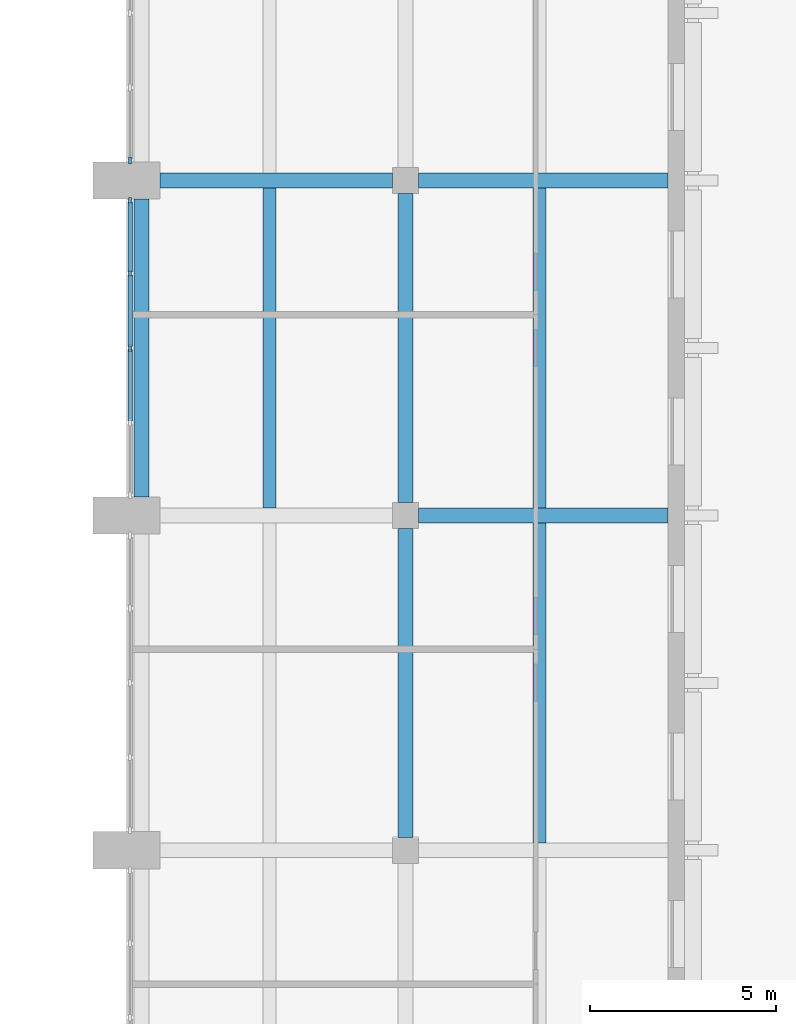
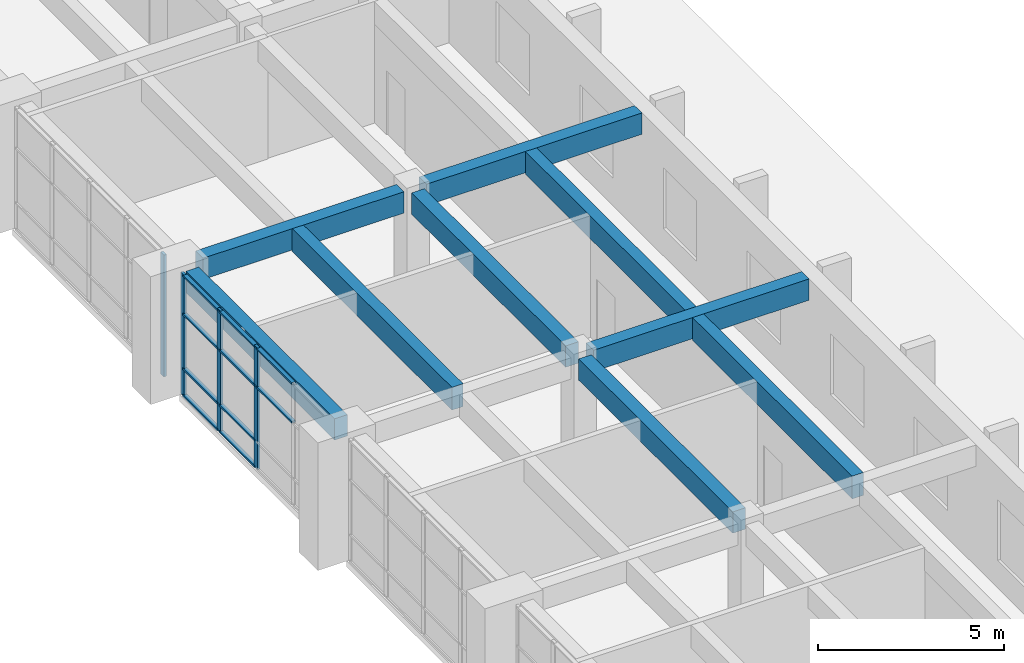
# One storey, part 10 of 45: 14 members, 9 beams, 2 elements without a shape of their own.
"""IFC4 building model written with IfcOpenShell, lengths in metres."""

from ifc_helpers import new_model, si_unit, direction, frame, origin, origin_2d, place, context, subcontext, project, spatial, rectangle, extrude, material, material_profile, profile_set, type_object, element, aggregate, save


model = new_model("IFC4")

# Units and contexts
model_context = context("Model", 3, precision=1e-05, world=origin(), true_north=direction((0.0, 1.0)))
body_context = subcontext(model_context, "Body", "Model", "MODEL_VIEW")
ifc_project = project(units=[si_unit("LENGTHUNIT", "METRE"), si_unit("AREAUNIT", "SQUARE_METRE"), si_unit("VOLUMEUNIT", "CUBIC_METRE"), si_unit("PLANEANGLEUNIT", "RADIAN"), si_unit("MASSUNIT", "GRAM", prefix="KILO")], contexts=[model_context])

# Site, building, storey
site_placement = place(None, origin())
site = spatial("IfcSite", under=ifc_project, at=site_placement, CompositionType="ELEMENT")
building_placement = place(site_placement, origin())
building = spatial("IfcBuilding", under=site, at=building_placement, Name="Elmora Arch Market Hall", CompositionType="ELEMENT")
storey_placement = place(building_placement, frame((0.0, 0.0, 6.0)))
storey = spatial("IfcBuildingStorey", under=building, at=storey_placement, Name="L01", CompositionType="ELEMENT", Elevation=6.0)

# Curtain wall, members
ifc_material_1 = material(Name="Aluminium", Category="aluminium")
curtain_wall_type = type_object("IfcCurtainWallType", Name="Hall front curtain wall", PredefinedType="NOTDEFINED", material=ifc_material_1)
curtain_wall_1_placement = place(storey_placement, origin())
curtain_wall_1 = element("IfcCurtainWall", 1, at=curtain_wall_1_placement, inside=storey, type_object=curtain_wall_type, Name="Wing front E L01 6", PredefinedType="NOTDEFINED")
ifc_material_2 = material(Name="Aluminium", Category="aluminium")
ifc_material_profile_1 = material_profile(ifc_material_2, rectangle(XDim=0.080078125, YDim=0.179931640625, at=origin_2d()), Name="AL 80x180")
ifc_profile_set_1 = profile_set([ifc_material_profile_1], Name="Aluminium")
member_type_1 = type_object("IfcMemberType", Name="Mullion 80x180", PredefinedType="MULLION", material=ifc_profile_set_1)
member_1_placement = place(storey_placement, frame((43.10009765625, 76.5, 0.0), z_axis=(0.0, 0.0, 1.0), x_axis=(-1.0, 0.0, 0.0)))
member_1 = element("IfcMember", 2, at=member_1_placement, type_object=member_type_1, Name="CW2 mullion 3", PredefinedType="MULLION", context=body_context, shape_type="SweptSolid", body=[
    extrude(rectangle(XDim=0.080078125, YDim=0.179931640625, at=origin_2d()), origin(), (0.0, 0.0, 1.0), 4.0),
])
member_2_placement = place(storey_placement, frame((43.10009765625, 78.5, 0.0), z_axis=(0.0, 0.0, 1.0), x_axis=(-1.0, 0.0, 0.0)))
member_2 = element("IfcMember", 3, at=member_2_placement, type_object=member_type_1, Name="CW2 mullion 4", PredefinedType="MULLION", context=body_context, shape_type="SweptSolid", body=[
    extrude(rectangle(XDim=0.080078125, YDim=0.179931640625, at=origin_2d()), origin(), (0.0, 0.0, 1.0), 4.0),
])
member_3_placement = place(storey_placement, frame((43.10009765625, 80.4599609375, 0.0), z_axis=(0.0, 0.0, 1.0), x_axis=(-1.0, 0.0, 0.0)))
member_3 = element("IfcMember", 4, at=member_3_placement, type_object=member_type_1, Name="CW2 mullion 5", PredefinedType="MULLION", context=body_context, shape_type="SweptSolid", body=[
    extrude(rectangle(XDim=0.080078125, YDim=0.179931640625, at=origin_2d()), origin(), (0.0, 0.0, 1.0), 4.0),
])

# Curtain wall, member
curtain_wall_2_placement = place(storey_placement, origin())
curtain_wall_2 = element("IfcCurtainWall", 5, at=curtain_wall_2_placement, inside=storey, type_object=curtain_wall_type, Name="Wing front E L01 7", PredefinedType="NOTDEFINED")
member_4_placement = place(storey_placement, frame((43.10009765625, 81.5400390625, 0.0), z_axis=(0.0, 0.0, 1.0), x_axis=(-1.0, 0.0, 0.0)))
member_4 = element("IfcMember", 6, at=member_4_placement, type_object=member_type_1, Name="CW2 mullion 1", PredefinedType="MULLION", context=body_context, shape_type="SweptSolid", body=[
    extrude(rectangle(XDim=0.080078125, YDim=0.179931640625, at=origin_2d()), origin(), (0.0, 0.0, 1.0), 4.0),
])
aggregate(curtain_wall_2, [member_4])

# Member
ifc_material_3 = material(Name="Aluminium", Category="aluminium")
ifc_material_profile_2 = material_profile(ifc_material_3, rectangle(XDim=0.1201171875, YDim=0.06005859375, at=origin_2d()), Name="AL 120x60")
ifc_profile_set_2 = profile_set([ifc_material_profile_2], Name="Aluminium")
member_type_2 = type_object("IfcMemberType", Name="Transom 120x60", PredefinedType="USERDEFINED", material=ifc_profile_set_2)
member_5_placement = place(storey_placement, frame((43.10009765625, 74.5400390625, 2.699951171875), z_axis=(0.0, 1.0, 0.0), x_axis=(-1.0, 0.0, 0.0)))
member_5 = element("IfcMember", 7, at=member_5_placement, type_object=member_type_2, Name="CW2 transom 2.3", ObjectType="TRANSOM", PredefinedType="USERDEFINED", context=body_context, shape_type="SweptSolid", body=[
    extrude(rectangle(XDim=0.1201171875, YDim=0.06005859375, at=origin_2d()), origin(), (0.0, 0.0, 1.0), 1.919921875),
])

member_6_placement = place(storey_placement, frame((43.10009765625, 74.5400390625, 3.969970703125), z_axis=(0.0, 1.0, 0.0), x_axis=(-1.0, 0.0, 0.0)))
member_6 = element("IfcMember", 8, at=member_6_placement, type_object=member_type_2, Name="CW2 transom 2.4", ObjectType="TRANSOM", PredefinedType="USERDEFINED", context=body_context, shape_type="SweptSolid", body=[
    extrude(rectangle(XDim=0.1201171875, YDim=0.06005859375, at=origin_2d()), origin(), (0.0, 0.0, 1.0), 1.919921875),
])

member_7_placement = place(storey_placement, frame((43.10009765625, 76.5400390625, 0.030029296875), z_axis=(0.0, 1.0, 0.0), x_axis=(-1.0, 0.0, 0.0)))
member_7 = element("IfcMember", 9, at=member_7_placement, type_object=member_type_2, Name="CW2 transom 3.1", ObjectType="TRANSOM", PredefinedType="USERDEFINED", context=body_context, shape_type="SweptSolid", body=[
    extrude(rectangle(XDim=0.1201171875, YDim=0.06005859375, at=origin_2d()), origin(), (0.0, 0.0, 1.0), 1.919921875),
])

member_8_placement = place(storey_placement, frame((43.10009765625, 76.5400390625, 0.89990234375), z_axis=(0.0, 1.0, 0.0), x_axis=(-1.0, 0.0, 0.0)))
member_8 = element("IfcMember", 10, at=member_8_placement, type_object=member_type_2, Name="CW2 transom 3.2", ObjectType="TRANSOM", PredefinedType="USERDEFINED", context=body_context, shape_type="SweptSolid", body=[
    extrude(rectangle(XDim=0.1201171875, YDim=0.06005859375, at=origin_2d()), origin(), (0.0, 0.0, 1.0), 1.919921875),
])

member_9_placement = place(storey_placement, frame((43.10009765625, 76.5400390625, 2.699951171875), z_axis=(0.0, 1.0, 0.0), x_axis=(-1.0, 0.0, 0.0)))
member_9 = element("IfcMember", 11, at=member_9_placement, type_object=member_type_2, Name="CW2 transom 3.3", ObjectType="TRANSOM", PredefinedType="USERDEFINED", context=body_context, shape_type="SweptSolid", body=[
    extrude(rectangle(XDim=0.1201171875, YDim=0.06005859375, at=origin_2d()), origin(), (0.0, 0.0, 1.0), 1.919921875),
])

member_10_placement = place(storey_placement, frame((43.10009765625, 76.5400390625, 3.969970703125), z_axis=(0.0, 1.0, 0.0), x_axis=(-1.0, 0.0, 0.0)))
member_10 = element("IfcMember", 12, at=member_10_placement, type_object=member_type_2, Name="CW2 transom 3.4", ObjectType="TRANSOM", PredefinedType="USERDEFINED", context=body_context, shape_type="SweptSolid", body=[
    extrude(rectangle(XDim=0.1201171875, YDim=0.06005859375, at=origin_2d()), origin(), (0.0, 0.0, 1.0), 1.919921875),
])

member_11_placement = place(storey_placement, frame((43.10009765625, 78.5400390625, 0.030029296875), z_axis=(0.0, 1.0, 0.0), x_axis=(-1.0, 0.0, 0.0)))
member_11 = element("IfcMember", 13, at=member_11_placement, type_object=member_type_2, Name="CW2 transom 4.1", ObjectType="TRANSOM", PredefinedType="USERDEFINED", context=body_context, shape_type="SweptSolid", body=[
    extrude(rectangle(XDim=0.1201171875, YDim=0.06005859375, at=origin_2d()), origin(), (0.0, 0.0, 1.0), 1.8798828125),
])

member_12_placement = place(storey_placement, frame((43.10009765625, 78.5400390625, 0.89990234375), z_axis=(0.0, 1.0, 0.0), x_axis=(-1.0, 0.0, 0.0)))
member_12 = element("IfcMember", 14, at=member_12_placement, type_object=member_type_2, Name="CW2 transom 4.2", ObjectType="TRANSOM", PredefinedType="USERDEFINED", context=body_context, shape_type="SweptSolid", body=[
    extrude(rectangle(XDim=0.1201171875, YDim=0.06005859375, at=origin_2d()), origin(), (0.0, 0.0, 1.0), 1.8798828125),
])

member_13_placement = place(storey_placement, frame((43.10009765625, 78.5400390625, 2.699951171875), z_axis=(0.0, 1.0, 0.0), x_axis=(-1.0, 0.0, 0.0)))
member_13 = element("IfcMember", 15, at=member_13_placement, type_object=member_type_2, Name="CW2 transom 4.3", ObjectType="TRANSOM", PredefinedType="USERDEFINED", context=body_context, shape_type="SweptSolid", body=[
    extrude(rectangle(XDim=0.1201171875, YDim=0.06005859375, at=origin_2d()), origin(), (0.0, 0.0, 1.0), 1.8798828125),
])

member_14_placement = place(storey_placement, frame((43.10009765625, 78.5400390625, 3.969970703125), z_axis=(0.0, 1.0, 0.0), x_axis=(-1.0, 0.0, 0.0)))
member_14 = element("IfcMember", 16, at=member_14_placement, type_object=member_type_2, Name="CW2 transom 4.4", ObjectType="TRANSOM", PredefinedType="USERDEFINED", context=body_context, shape_type="SweptSolid", body=[
    extrude(rectangle(XDim=0.1201171875, YDim=0.06005859375, at=origin_2d()), origin(), (0.0, 0.0, 1.0), 1.8798828125),
])

aggregate(curtain_wall_1, [member_1, member_2, member_3, member_5, member_6, member_7, member_8, member_9, member_10, member_11, member_12, member_13, member_14])

# Beams
ifc_material_4 = material(Name="Concrete C32/40", Category="concrete")
ifc_material_profile_3 = material_profile(ifc_material_4, rectangle(XDim=0.39990234375, YDim=0.699951171875, at=origin_2d()), Name="Wing beam 400x700")
ifc_profile_set_3 = profile_set([ifc_material_profile_3], Name="Concrete C32/40")
beam_type_1 = type_object("IfcBeamType", Name="Wing beam 400x700", PredefinedType="BEAM", material=ifc_profile_set_3)
beam_1_placement = place(storey_placement, frame((50.85009765625, 72.0, 3.64990234375), z_axis=(1.0, 0.0, 0.0), x_axis=(0.0, 1.0, 0.0)))
element("IfcBeam", 17, at=beam_1_placement, inside=storey, type_object=beam_type_1, Name="Wing beam ER6 L01.2", PredefinedType="BEAM", context=body_context, shape_type="SweptSolid", body=[
    extrude(rectangle(XDim=0.39990234375, YDim=0.699951171875, at=origin_2d()), origin(), (0.0, 0.0, 1.0), 6.699951171875),
])
beam_2_placement = place(storey_placement, frame((43.89990234375, 81.0, 3.64990234375), z_axis=(1.0, 0.0, 0.0), x_axis=(0.0, 1.0, 0.0)))
element("IfcBeam", 18, at=beam_2_placement, inside=storey, type_object=beam_type_1, Name="Wing beam ER7 L01.1", PredefinedType="BEAM", context=body_context, shape_type="SweptSolid", body=[
    extrude(rectangle(XDim=0.39990234375, YDim=0.699951171875, at=origin_2d()), origin(), (0.0, 0.0, 1.0), 6.25),
])
beam_3_placement = place(storey_placement, frame((50.85009765625, 81.0, 3.64990234375), z_axis=(1.0, 0.0, 0.0), x_axis=(0.0, 1.0, 0.0)))
element("IfcBeam", 19, at=beam_3_placement, inside=storey, type_object=beam_type_1, Name="Wing beam ER7 L01.2", PredefinedType="BEAM", context=body_context, shape_type="SweptSolid", body=[
    extrude(rectangle(XDim=0.39990234375, YDim=0.699951171875, at=origin_2d()), origin(), (0.0, 0.0, 1.0), 6.699951171875),
])
for number, where, z_axis, x_axis, name in (
    (20, (50.5, 63.35009765625, 3.64990234375), (0.0, 1.0, 0.0), (-1.0, 0.0, 0.0), "Wing beam EG L01.5"),
    (21, (50.5, 72.35009765625, 3.64990234375), (0.0, 1.0, 0.0), (-1.0, 0.0, 0.0), "Wing beam EG L01.6"),
):
    element("IfcBeam", number, at=place(storey_placement, frame(where, z_axis=z_axis, x_axis=x_axis)), inside=storey, type_object=beam_type_1, Name=name, PredefinedType="BEAM", context=body_context, shape_type="SweptSolid", body=[
        extrude(rectangle(XDim=0.39990234375, YDim=0.699951171875, at=origin_2d()), origin(), (0.0, 0.0, 1.0), 8.2998046875),
    ])
beam_4_placement = place(storey_placement, frame((43.39990234375, 72.5, 3.64990234375), z_axis=(0.0, 1.0, 0.0), x_axis=(-1.0, 0.0, 0.0)))
element("IfcBeam", 22, at=beam_4_placement, inside=storey, type_object=beam_type_1, Name="Wing beam EEB L01.6", PredefinedType="BEAM", context=body_context, shape_type="SweptSolid", body=[
    extrude(rectangle(XDim=0.39990234375, YDim=0.699951171875, at=origin_2d()), origin(), (0.0, 0.0, 1.0), 8.0),
])
ifc_material_5 = material(Name="Concrete C32/40", Category="concrete")
ifc_material_profile_4 = material_profile(ifc_material_5, rectangle(XDim=0.35009765625, YDim=0.75, at=origin_2d()), Name="Wing joist 350x750")
ifc_profile_set_4 = profile_set([ifc_material_profile_4], Name="Concrete C32/40")
beam_type_2 = type_object("IfcBeamType", Name="Wing joist 350x750", PredefinedType="JOIST", material=ifc_profile_set_4)
for number, where, z_axis, x_axis, name in (
    (23, (46.85009765625, 72.199951171875, 3.625), (0.0, 1.0, 0.0), (-1.0, 0.0, 0.0), "Wing joist EJ1 L01.6"),
    (24, (54.10009765625, 63.199951171875, 3.625), (0.0, 1.0, 0.0), (-1.0, 0.0, 0.0), "Wing joist EJ2 L01.5"),
    (25, (54.10009765625, 72.199951171875, 3.625), (0.0, 1.0, 0.0), (-1.0, 0.0, 0.0), "Wing joist EJ2 L01.6"),
):
    element("IfcBeam", number, at=place(storey_placement, frame(where, z_axis=z_axis, x_axis=x_axis)), inside=storey, type_object=beam_type_2, Name=name, PredefinedType="JOIST", context=body_context, shape_type="SweptSolid", body=[
        extrude(rectangle(XDim=0.35009765625, YDim=0.75, at=origin_2d()), origin(), (0.0, 0.0, 1.0), 8.60009765625),
    ])

save(model, "model.ifc")
